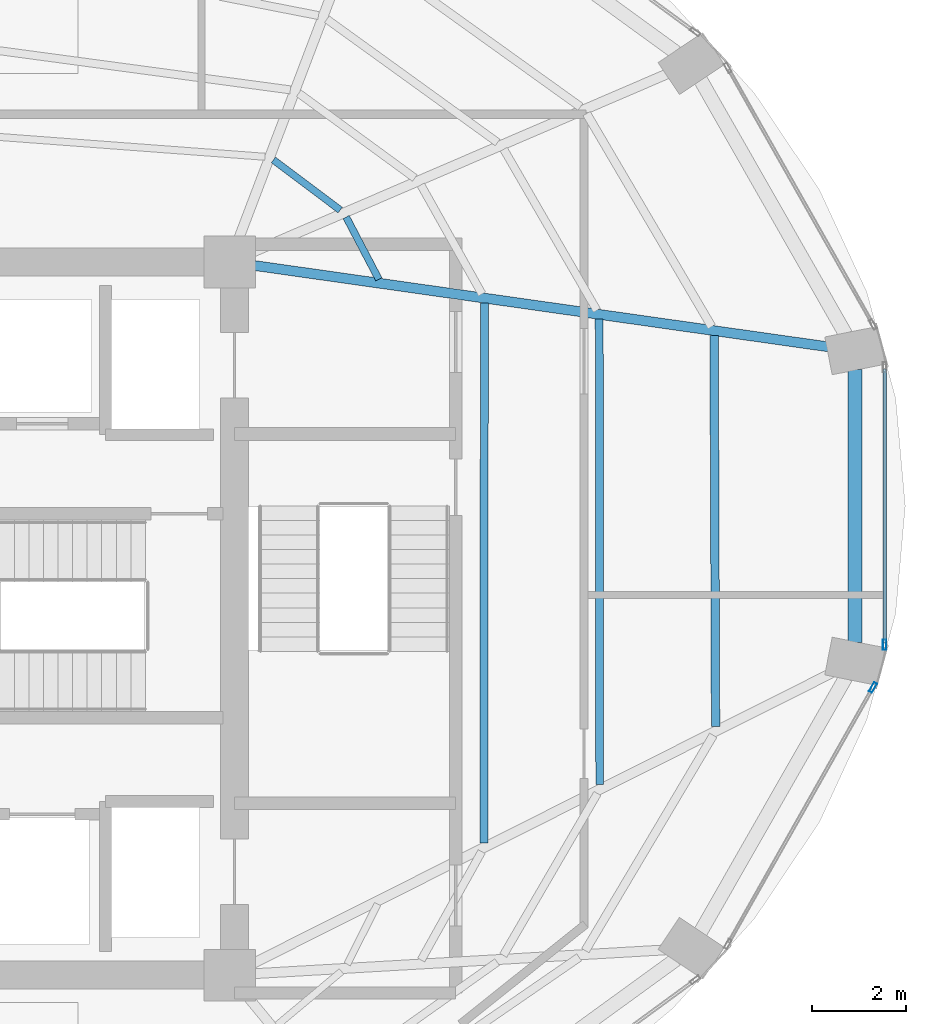
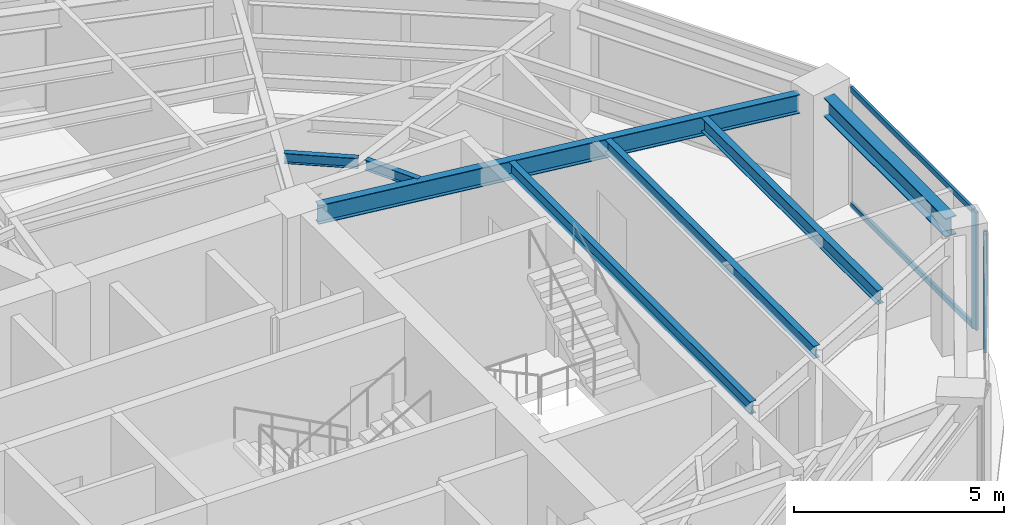
# One storey, part 10 of 20: 7 beams, 4 members, 2 elements without a shape of their own.
"""IFC4 building model written with IfcOpenShell, lengths in metres."""

from ifc_helpers import new_model, si_unit, direction, frame, origin, origin_2d, place, context, subcontext, project, spatial, hollow_rectangle, i_section, extrude, material, layer, layer_set, material_profile, profile_set, type_object, element, aggregate, save


model = new_model("IFC4")

# Units and contexts
model_context = context("Model", 3, precision=1e-05, world=origin(), true_north=direction((0.0, 1.0)))
body_context = subcontext(model_context, "Body", "Model", "MODEL_VIEW")
ifc_project = project(units=[si_unit("LENGTHUNIT", "METRE"), si_unit("AREAUNIT", "SQUARE_METRE"), si_unit("VOLUMEUNIT", "CUBIC_METRE"), si_unit("PLANEANGLEUNIT", "RADIAN"), si_unit("MASSUNIT", "GRAM", prefix="KILO")], contexts=[model_context])

# Site, building, storey
site_placement = place(None, origin())
site = spatial("IfcSite", under=ifc_project, at=site_placement, CompositionType="ELEMENT")
building_placement = place(site_placement, origin())
building = spatial("IfcBuilding", under=site, at=building_placement, Name="Lazwardi Medical Tower", CompositionType="ELEMENT")
storey_placement = place(building_placement, frame((0.0, 0.0, 152.8798828125)))
storey = spatial("IfcBuildingStorey", under=building, at=storey_placement, Name="L39", CompositionType="ELEMENT", Elevation=152.8798828125)

# Beams
ifc_material_1 = material(Name="Steel S355", Category="steel")
ifc_material_profile_1 = material_profile(ifc_material_1, i_section(OverallWidth=0.300048828125, OverallDepth=0.550048828125, WebThickness=0.014892578125, FlangeThickness=0.029052734375, at=origin_2d()), Name="HEB 550")
ifc_profile_set_1 = profile_set([ifc_material_profile_1], Name="Steel S355")
beam_type_1 = type_object("IfcBeamType", Name="BM-RB-Z3", PredefinedType="BEAM", material=ifc_profile_set_1)
beam_1_placement = place(storey_placement, frame((58.92578125, 27.48828125, 3.153076171875), z_axis=(0.0, 1.0, 0.0), x_axis=(-1.0, 0.0, 0.0)))
element("IfcBeam", 1, at=beam_1_placement, inside=storey, type_object=beam_type_1, Name="Ring beam RB-04 B04 L39", PredefinedType="BEAM", context=body_context, shape_type="SweptSolid", body=[
    extrude(i_section(OverallWidth=0.300048828125, OverallDepth=0.550048828125, WebThickness=0.014892578125, FlangeThickness=0.029052734375, at=origin_2d()), origin(), (0.0, 0.0, 1.0), 5.823486328125),
])
ifc_material_profile_2 = material_profile(ifc_material_1, i_section(OverallWidth=0.2099609375, OverallDepth=0.550048828125, WebThickness=0.010986328125, FlangeThickness=0.01708984375, at=origin_2d()), Name="IPE 550")
ifc_profile_set_2 = profile_set([ifc_material_profile_2], Name="Steel S355")
beam_type_2 = type_object("IfcBeamType", Name="BM-RG-W2", PredefinedType="BEAM", material=ifc_profile_set_2)
beam_2_placement = place(storey_placement, frame((58.371337890625, 33.790283203125, 3.153076171875), z_axis=(-0.99010958763, 0.140296131389, 0.0), x_axis=(-0.140296131389, -0.99010958763, 0.0)))
element("IfcBeam", 2, at=beam_2_placement, inside=storey, type_object=beam_type_2, Name="Radial girder RG-03 R05 L39", PredefinedType="BEAM", context=body_context, shape_type="SweptSolid", body=[
    extrude(i_section(OverallWidth=0.2099609375, OverallDepth=0.550048828125, WebThickness=0.010986328125, FlangeThickness=0.01708984375, at=origin_2d()), origin(), (0.0, 0.0, 1.0), 12.364013671875),
])
ifc_material_profile_3 = material_profile(ifc_material_1, i_section(OverallWidth=0.179931640625, OverallDepth=0.39990234375, WebThickness=0.008544921875, FlangeThickness=0.013427734375, at=origin_2d()), Name="IPE 400")
ifc_profile_set_3 = profile_set([ifc_material_profile_3], Name="Steel S355")
beam_type_3 = type_object("IfcBeamType", Name="BM-SJ-01", PredefinedType="JOIST", material=ifc_profile_set_3)
beam_3_placement = place(storey_placement, frame((55.95556640625, 25.69775390625, 3.22802734375), z_axis=(-0.003864366017, 0.99999253331, 0.0), x_axis=(-0.99999253331, -0.003864366017, 0.0)))
element("IfcBeam", 3, at=beam_3_placement, inside=storey, type_object=beam_type_3, Name="Secondary joist SJ-01 R1 B04 L39", PredefinedType="JOIST", context=body_context, shape_type="SweptSolid", body=[
    extrude(i_section(OverallWidth=0.179931640625, OverallDepth=0.39990234375, WebThickness=0.008544921875, FlangeThickness=0.013427734375, at=origin_2d()), origin(), (0.0, 0.0, 1.0), 8.33935546875),
])
ifc_material_profile_4 = material_profile(ifc_material_1, i_section(OverallWidth=0.169921875, OverallDepth=0.360107421875, WebThickness=0.008056640625, FlangeThickness=0.0126953125, at=origin_2d()), Name="IPE 360")
ifc_profile_set_4 = profile_set([ifc_material_profile_4], Name="Steel S355")
beam_type_4 = type_object("IfcBeamType", Name="BM-SJ-02", PredefinedType="JOIST", material=ifc_profile_set_4)
beam_4_placement = place(storey_placement, frame((53.486328125, 24.458251953125, 3.248046875), z_axis=(-0.001156040156, 0.999999331785, 0.0), x_axis=(-0.999999331785, -0.001156040156, 0.0)))
element("IfcBeam", 4, at=beam_4_placement, inside=storey, type_object=beam_type_4, Name="Secondary joist SJ-02 R2 B04 L39", PredefinedType="JOIST", context=body_context, shape_type="SweptSolid", body=[
    extrude(i_section(OverallWidth=0.169921875, OverallDepth=0.360107421875, WebThickness=0.008056640625, FlangeThickness=0.0126953125, at=origin_2d()), origin(), (0.0, 0.0, 1.0), 9.92578125),
])
beam_5_placement = place(storey_placement, frame((51.01708984375, 23.21875, 3.248046875), z_axis=(0.000805852776, 0.999999675301, 0.0), x_axis=(-0.999999675301, 0.000805852776, 0.0)))
element("IfcBeam", 5, at=beam_5_placement, inside=storey, type_object=beam_type_4, Name="Secondary joist SJ-02 R3 B04 L39", PredefinedType="JOIST", context=body_context, shape_type="SweptSolid", body=[
    extrude(i_section(OverallWidth=0.169921875, OverallDepth=0.360107421875, WebThickness=0.008056640625, FlangeThickness=0.0126953125, at=origin_2d()), origin(), (0.0, 0.0, 1.0), 11.512451171875),
])
ifc_material_profile_5 = material_profile(ifc_material_1, i_section(OverallWidth=0.14990234375, OverallDepth=0.300048828125, WebThickness=0.007080078125, FlangeThickness=0.0107421875, at=origin_2d()), Name="IPE 300")
ifc_profile_set_5 = profile_set([ifc_material_profile_5], Name="Steel S355")
beam_type_5 = type_object("IfcBeamType", Name="BM-SJ-03", PredefinedType="JOIST", material=ifc_profile_set_5)
beam_6_placement = place(storey_placement, frame((48.7763671875, 35.231689453125, 3.278076171875), z_axis=(-0.464469748171, 0.885588986513, 0.0), x_axis=(-0.885588986513, -0.464469748171, 0.0)))
element("IfcBeam", 6, at=beam_6_placement, inside=storey, type_object=beam_type_5, Name="Secondary joist SJ-03 R4 B05 L39", PredefinedType="JOIST", context=body_context, shape_type="SweptSolid", body=[
    extrude(i_section(OverallWidth=0.14990234375, OverallDepth=0.300048828125, WebThickness=0.007080078125, FlangeThickness=0.0107421875, at=origin_2d()), origin(), (0.0, 0.0, 1.0), 1.498046875),
])
beam_7_placement = place(storey_placement, frame((47.9541015625, 36.70703125, 3.278076171875), z_axis=(-0.799884834751, 0.600153522972, 0.0), x_axis=(-0.600153522972, -0.799884834751, 0.0)))
element("IfcBeam", 7, at=beam_7_placement, inside=storey, type_object=beam_type_5, Name="Secondary joist SJ-03 R4 B06 L39", PredefinedType="JOIST", context=body_context, shape_type="SweptSolid", body=[
    extrude(i_section(OverallWidth=0.14990234375, OverallDepth=0.300048828125, WebThickness=0.007080078125, FlangeThickness=0.0107421875, at=origin_2d()), origin(), (0.0, 0.0, 1.0), 1.781005859375),
])

# Curtain wall, member
ifc_material_2 = material(Name="Anodised bronze aluminium and solar control glazing", Category="aluminium")
ifc_layer = layer(ifc_material_2, 0.195068359375)
ifc_layer_set = layer_set([ifc_layer], Name="Anodised bronze aluminium and solar control glazing")
curtain_wall_type = type_object("IfcCurtainWallType", Name="CW-SYS-03", PredefinedType="NOTDEFINED", material=ifc_layer_set)
curtain_wall_1_placement = place(storey_placement, origin())
curtain_wall_1 = element("IfcCurtainWall", 8, at=curtain_wall_1_placement, inside=storey, type_object=curtain_wall_type, Name="L39 Unitised bronze curtain wall CW-03", PredefinedType="NOTDEFINED")
ifc_material_3 = material(Name="Anodised bronze aluminium", Category="aluminium")
ifc_material_profile_6 = material_profile(ifc_material_3, hollow_rectangle(XDim=0.074951171875, YDim=0.219970703125, WallThickness=0.00390625, at=origin_2d()), Name="ALU-MULLION 220x75x4")
ifc_profile_set_6 = profile_set([ifc_material_profile_6], Name="Anodised bronze aluminium")
member_type_1 = type_object("IfcMemberType", Name="CW-MUL-01", PredefinedType="MULLION", material=ifc_profile_set_6)
member_1_placement = place(storey_placement, frame((59.31103515625, 26.53271484375, 0.0), z_axis=(0.0, 0.0, 1.0), x_axis=(-0.870418989303, 0.492311672683, 0.0)))
member_1 = element("IfcMember", 9, at=member_1_placement, type_object=member_type_1, Name="CW-03 mullion 2", PredefinedType="MULLION", context=body_context, shape_type="SweptSolid", body=[
    extrude(hollow_rectangle(XDim=0.074951171875, YDim=0.219970703125, WallThickness=0.00390625, at=origin_2d()), origin(), (0.0, 0.0, 1.0), 3.42822265625),
])
aggregate(curtain_wall_1, [member_1])

# Curtain wall, members
curtain_wall_2_placement = place(storey_placement, origin())
curtain_wall_2 = element("IfcCurtainWall", 10, at=curtain_wall_2_placement, inside=storey, type_object=curtain_wall_type, Name="L39 Unitised bronze curtain wall CW-03", PredefinedType="NOTDEFINED")
member_2_placement = place(storey_placement, frame((59.5576171875, 27.442138671875, 0.0), z_axis=(0.0, 0.0, 1.0), x_axis=(-1.0, 0.0, 0.0)))
member_2 = element("IfcMember", 11, at=member_2_placement, type_object=member_type_1, Name="CW-03 mullion 1", PredefinedType="MULLION", context=body_context, shape_type="SweptSolid", body=[
    extrude(hollow_rectangle(XDim=0.074951171875, YDim=0.219970703125, WallThickness=0.00390625, at=origin_2d()), origin(), (0.0, 0.0, 1.0), 3.42822265625),
])
ifc_material_profile_7 = material_profile(ifc_material_3, hollow_rectangle(XDim=0.074951171875, YDim=0.159912109375, WallThickness=0.00390625, at=origin_2d()), Name="ALU-TRANSOM 160x75x4")
ifc_profile_set_7 = profile_set([ifc_material_profile_7], Name="Anodised bronze aluminium")
member_type_2 = type_object("IfcMemberType", Name="CW-TRN-01", PredefinedType="USERDEFINED", material=ifc_profile_set_7)
member_3_placement = place(storey_placement, frame((59.5576171875, 27.4794921875, 0.03759765625), z_axis=(0.0, 1.0, 0.0), x_axis=(-1.0, 0.0, 0.0)))
member_3 = element("IfcMember", 12, at=member_3_placement, type_object=member_type_2, Name="CW-03 transom 1.1", ObjectType="TRANSOM", PredefinedType="USERDEFINED", context=body_context, shape_type="SweptSolid", body=[
    extrude(hollow_rectangle(XDim=0.074951171875, YDim=0.159912109375, WallThickness=0.00390625, at=origin_2d()), origin(), (0.0, 0.0, 1.0), 5.8408203125),
])
member_4_placement = place(storey_placement, frame((59.5576171875, 27.4794921875, 3.390625), z_axis=(0.0, 1.0, 0.0), x_axis=(-1.0, 0.0, 0.0)))
member_4 = element("IfcMember", 13, at=member_4_placement, type_object=member_type_2, Name="CW-03 transom 1.2", ObjectType="TRANSOM", PredefinedType="USERDEFINED", context=body_context, shape_type="SweptSolid", body=[
    extrude(hollow_rectangle(XDim=0.074951171875, YDim=0.159912109375, WallThickness=0.00390625, at=origin_2d()), origin(), (0.0, 0.0, 1.0), 5.8408203125),
])
aggregate(curtain_wall_2, [member_2, member_3, member_4])

save(model, "model.ifc")
